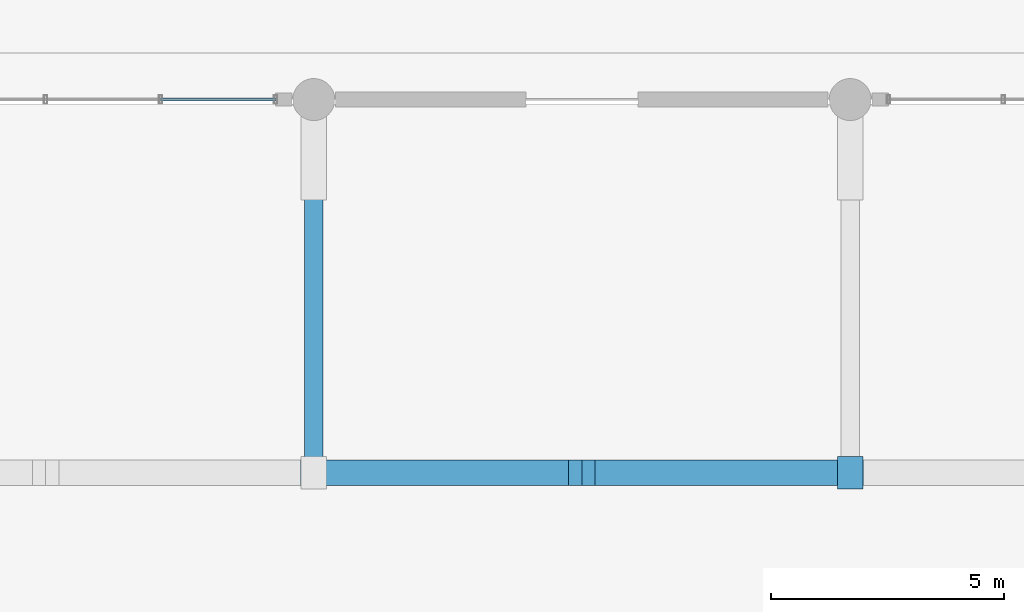
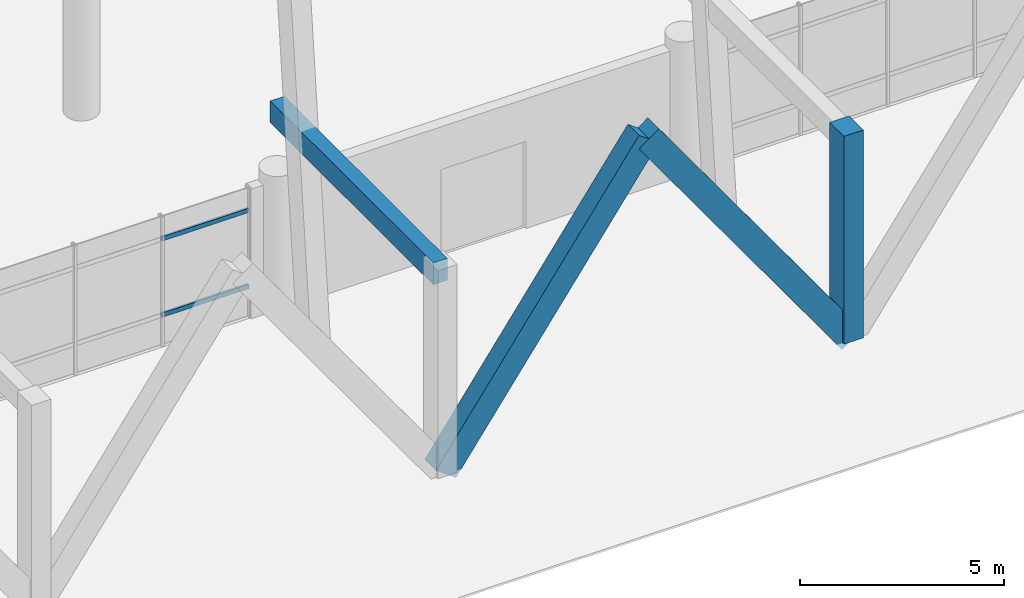
# One storey, part 15 of 109: 5 members, 1 beam, 1 element without a shape of its own.
"""IFC4 building model written with IfcOpenShell, lengths in metres."""

from ifc_helpers import new_model, si_unit, direction, frame, origin, origin_2d, place, context, subcontext, project, spatial, rectangle, hollow_rectangle, extrude, material, material_profile, profile_set, type_object, element, aggregate, save


model = new_model("IFC4")

# Units and contexts
model_context = context("Model", 3, precision=1e-05, world=origin(), true_north=direction((0.0, 1.0)))
body_context = subcontext(model_context, "Body", "Model", "MODEL_VIEW")
ifc_project = project(units=[si_unit("LENGTHUNIT", "METRE"), si_unit("AREAUNIT", "SQUARE_METRE"), si_unit("VOLUMEUNIT", "CUBIC_METRE"), si_unit("PLANEANGLEUNIT", "RADIAN"), si_unit("MASSUNIT", "GRAM", prefix="KILO")], contexts=[model_context])

# Site, building, storey
site_placement = place(None, origin())
site = spatial("IfcSite", under=ifc_project, at=site_placement, CompositionType="ELEMENT")
building_placement = place(site_placement, origin())
building = spatial("IfcBuilding", under=site, at=building_placement, Name="Ologun Quay Terminus", CompositionType="ELEMENT")
storey_placement = place(building_placement, origin())
storey = spatial("IfcBuildingStorey", under=building, at=storey_placement, Name="L00", CompositionType="ELEMENT", Elevation=0.0)

# Curtain wall, members
ifc_material_1 = material(Name="Aluminium 6063-T6", Category="aluminium")
curtain_wall_type = type_object("IfcCurtainWallType", Name="Forecourt Arcade Curtain Wall 10700x3750", PredefinedType="USERDEFINED", material=ifc_material_1)
curtain_wall_placement = place(storey_placement, origin())
curtain_wall = element("IfcCurtainWall", 1, at=curtain_wall_placement, inside=storey, type_object=curtain_wall_type, Name="CW-03 Curtain Wall CW-L00-004", ObjectType="UNITISED CURTAIN WALL", PredefinedType="USERDEFINED")
ifc_material_2 = material(Name="Aluminium 6063-T6", Category="aluminium")
ifc_material_profile_1 = material_profile(ifc_material_2, hollow_rectangle(XDim=0.06005859375, YDim=0.1298828125, WallThickness=0.00390625, at=origin_2d()), Name="ALU 130x60x4")
ifc_profile_set_1 = profile_set([ifc_material_profile_1], Name="Aluminium 6063-T6")
member_type_1 = type_object("IfcMemberType", Name="Curtain Wall Heavy Transom 130x60", PredefinedType="USERDEFINED", material=ifc_profile_set_1)
member_1_placement = place(storey_placement, frame((77.215087890625, 8.0, 0.89990234375), z_axis=(1.0, 0.0, 0.0), x_axis=(0.0, 1.0, 0.0)))
member_1 = element("IfcMember", 2, at=member_1_placement, type_object=member_type_1, Name="CW-L00-004 Transom B4-1", ObjectType="TRANSOM", PredefinedType="USERDEFINED", context=body_context, shape_type="SweptSolid", body=[
    extrude(hollow_rectangle(XDim=0.06005859375, YDim=0.1298828125, WallThickness=0.00390625, at=origin_2d()), origin(), (0.0, 0.0, 1.0), 2.46484375),
])
member_2_placement = place(storey_placement, frame((77.215087890625, 8.0, 3.179931640625), z_axis=(1.0, 0.0, 0.0), x_axis=(0.0, 1.0, 0.0)))
member_2 = element("IfcMember", 3, at=member_2_placement, type_object=member_type_1, Name="CW-L00-004 Transom B4-2", ObjectType="TRANSOM", PredefinedType="USERDEFINED", context=body_context, shape_type="SweptSolid", body=[
    extrude(hollow_rectangle(XDim=0.06005859375, YDim=0.1298828125, WallThickness=0.00390625, at=origin_2d()), origin(), (0.0, 0.0, 1.0), 2.46484375),
])
aggregate(curtain_wall, [member_1, member_2])

# Members
ifc_material_3 = material(Name="Concrete C45/55", Category="concrete")
ifc_material_profile_2 = material_profile(ifc_material_3, rectangle(XDim=0.550048828125, YDim=0.699951171875, at=origin_2d()), Name="RC 550x700")
ifc_profile_set_2 = profile_set([ifc_material_profile_2], Name="Concrete C45/55")
member_type_2 = type_object("IfcMemberType", Name="Folded Canopy Concrete V-Strut 550x700", PredefinedType="STRUT", material=ifc_profile_set_2)
member_3_placement = place(storey_placement, frame((92.0, 0.0, 0.0), z_axis=(0.0, 0.0, 1.0), x_axis=(1.0, 0.0, 0.0)))
element("IfcMember", 4, at=member_3_placement, inside=storey, type_object=member_type_2, Name="VS2 Canopy Pier 9/A", PredefinedType="STRUT", context=body_context, shape_type="SweptSolid", body=[
    extrude(rectangle(XDim=0.550048828125, YDim=0.699951171875, at=origin_2d()), origin(), (0.0, 0.0, 1.0), 6.219970703125),
])
for number, where, z_axis, x_axis, name in (
    (5, (80.5, 0.0, 0.0), (0.582674207859, 0.0, 0.812705830849), (0.0, 1.0, 0.0), "VS2 Canopy Strut 8/A-E"),
    (6, (92.0, 0.0, 0.0), (-0.582674207859, 0.0, 0.812705830849), (0.0, -1.0, 0.0), "VS2 Canopy Strut 9/A-W"),
):
    element("IfcMember", number, at=place(storey_placement, frame(where, z_axis=z_axis, x_axis=x_axis)), inside=storey, type_object=member_type_2, Name=name, PredefinedType="STRUT", context=body_context, shape_type="SweptSolid", body=[
        extrude(rectangle(XDim=0.550048828125, YDim=0.699951171875, at=origin_2d()), origin(), (0.0, 0.0, 1.0), 9.868408203125),
    ])

# Beam
ifc_material_4 = material(Name="Concrete C40/50", Category="concrete")
ifc_material_profile_3 = material_profile(ifc_material_4, rectangle(XDim=0.39990234375, YDim=0.64990234375, at=origin_2d()), Name="RC 400x650")
ifc_profile_set_3 = profile_set([ifc_material_profile_3], Name="Concrete C40/50")
beam_type = type_object("IfcBeamType", Name="Station Secondary Joist 400x650", PredefinedType="JOIST", material=ifc_profile_set_3)
beam_placement = place(storey_placement, frame((80.5, 0.0, 5.89501953125), z_axis=(0.0, 1.0, 0.0), x_axis=(-1.0, 0.0, 0.0)))
element("IfcBeam", 7, at=beam_placement, inside=storey, type_object=beam_type, Name="J1 Beam 8/A L00", PredefinedType="JOIST", context=body_context, shape_type="SweptSolid", body=[
    extrude(rectangle(XDim=0.39990234375, YDim=0.64990234375, at=origin_2d()), origin(), (0.0, 0.0, 1.0), 8.0),
])

save(model, "model.ifc")
